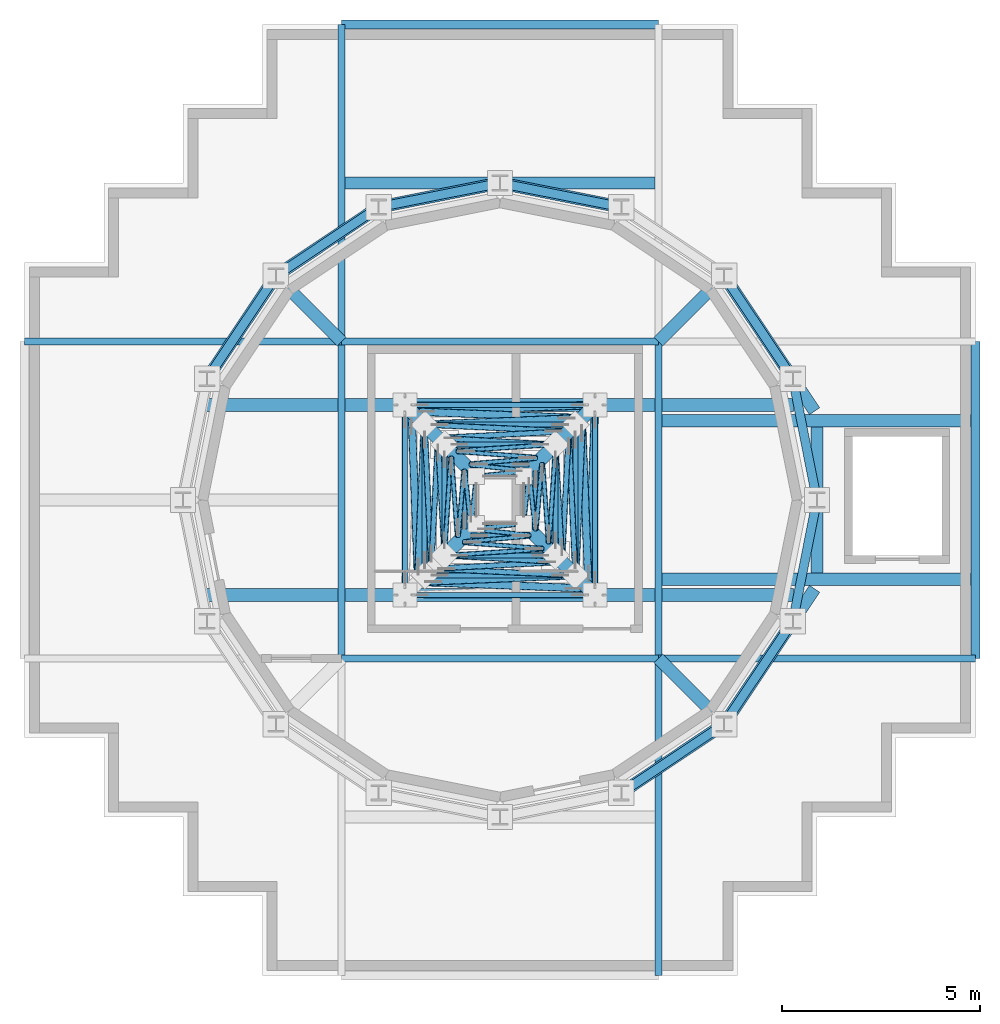
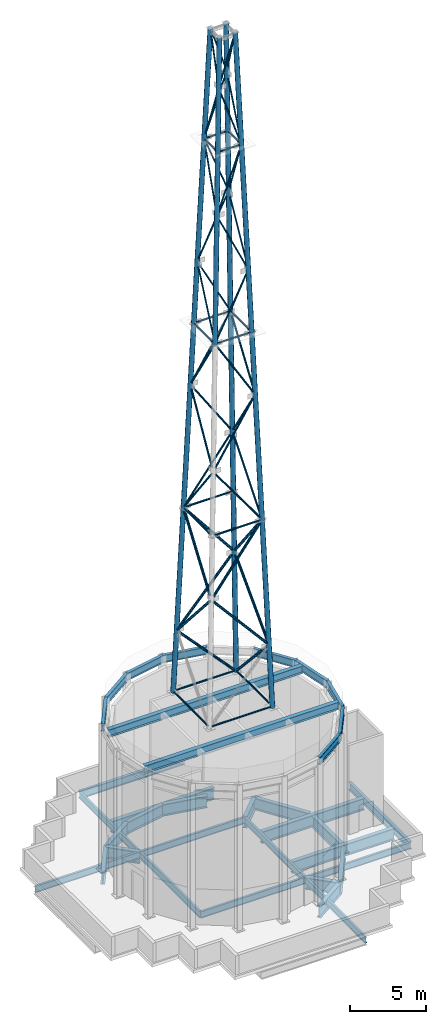
# One storey, part 2 of 15: 68 members, 35 beams.
"""IFC4 building model written with IfcOpenShell, lengths in metres."""

import ifcopenshell
import ifcopenshell.guid

model = None  # the IFC model being written
_history = None  # IfcOwnerHistory: only IFC2X3 demands one
_inside = {}  # id of a spatial element -> (the spatial element, [elements in it])
_under = {}  # id of a project, library or spatial element -> (it, [spatial elements below it])
_declared = {}  # id of a project -> (the project, [libraries it declares])
_typed = {}  # id of a type object -> (the type object, [elements of that type])
_made_of = {}  # id of a material, layer set ... -> (it, [elements and type objects made of it])


def new_model(schema):
    """Start an empty IFC model of exactly this schema.

    Asked for "IFC4X3", IfcOpenShell would pick the latest addendum, in which some entities
    have other attributes; the version numbers below select the first issue.
    IFC2X3 requires an IfcOwnerHistory on every rooted entity: one is made here for all.
    """
    global model, _history
    if schema == "IFC4X3":
        model = ifcopenshell.file(schema_version=(4, 3, 0, 0))
    else:
        model = ifcopenshell.file(schema=schema)
    _inside.clear()
    _under.clear()
    _declared.clear()
    _typed.clear()
    _made_of.clear()
    _history = None
    if model.schema == "IFC2X3":
        org = make("IfcOrganization", Name="unknown")
        user = make(
            "IfcPersonAndOrganization",
            ThePerson=make("IfcPerson", FamilyName="unknown"),
            TheOrganization=org,
        )
        app = make(
            "IfcApplication",
            ApplicationDeveloper=org,
            Version="unknown",
            ApplicationFullName="unknown",
            ApplicationIdentifier="unknown",
        )
        _history = make(
            "IfcOwnerHistory",
            OwningUser=user,
            OwningApplication=app,
            ChangeAction="ADDED",
            CreationDate=0,
        )
    return model


def make(cls, **values):
    """One entity of the class cls with the attributes given. An attribute that is None is left unset."""
    return model.create_entity(
        cls, **{name: value for name, value in values.items() if value is not None}
    )


def rooted(cls, **values):
    """An entity with a GlobalId (a new one), such as an element, a storey or a relation."""
    return make(cls, GlobalId=ifcopenshell.guid.new(), OwnerHistory=_history, **values)


def si_unit(unit_type, name, prefix=None):
    """IfcSIUnit, for example si_unit("LENGTHUNIT", "METRE", prefix="MILLI")."""
    return make("IfcSIUnit", UnitType=unit_type, Prefix=prefix, Name=name)


def assignment(units):
    """IfcUnitAssignment: the units of a project."""
    return None if units is None else make("IfcUnitAssignment", Units=units)


def point(xyz):
    """IfcCartesianPoint."""
    return None if xyz is None else make("IfcCartesianPoint", Coordinates=xyz)


def direction(xyz):
    """IfcDirection."""
    return None if xyz is None else make("IfcDirection", DirectionRatios=xyz)


def frame(location, z_axis=None, x_axis=None):
    """IfcAxis2Placement3D, a coordinate frame: its origin and axes. An axis left out is left unset."""
    return make(
        "IfcAxis2Placement3D",
        Location=point(location),
        Axis=direction(z_axis),
        RefDirection=direction(x_axis),
    )


def frame_2d(location, x_axis=None):
    """IfcAxis2Placement2D, a coordinate frame in the plane: its origin and x axis."""
    return make(
        "IfcAxis2Placement2D", Location=point(location), RefDirection=direction(x_axis)
    )


def origin():
    """The frame at (0, 0, 0) with its axes left unset."""
    return frame((0.0, 0.0, 0.0))


def origin_2d():
    """The frame at (0, 0) in the plane with its x axis left unset."""
    return frame_2d((0.0, 0.0))


def place(relative_to, where):
    """IfcLocalPlacement: puts the frame where relative to a parent placement (None: the world)."""
    return make(
        "IfcLocalPlacement", PlacementRelTo=relative_to, RelativePlacement=where
    )


def context(
    kind, dimensions, precision=None, world=None, true_north=None, identifier=None
):
    """IfcGeometricRepresentationContext, for example the 3D "Model" context."""
    return make(
        "IfcGeometricRepresentationContext",
        ContextIdentifier=identifier,
        ContextType=kind,
        CoordinateSpaceDimension=dimensions,
        Precision=precision,
        WorldCoordinateSystem=world,
        TrueNorth=true_north,
    )


def subcontext(parent, identifier, kind, view, scale=None):
    """IfcGeometricRepresentationSubContext, for example "Body" below "Model"."""
    return make(
        "IfcGeometricRepresentationSubContext",
        ContextIdentifier=identifier,
        ContextType=kind,
        ParentContext=parent,
        TargetScale=scale,
        TargetView=view,
    )


def project(units=None, contexts=None):
    """IfcProject with its units and contexts."""
    return rooted(
        "IfcProject",
        Name="project",
        RepresentationContexts=contexts,
        UnitsInContext=assignment(units),
    )


def spatial(cls, under=None, at=None, **own):
    """A site, building, storey or space (cls), placed at a placement, below another one or the project."""
    s = rooted(cls, ObjectPlacement=at, **own)
    if under is not None:
        _under.setdefault(under.id(), (under, []))[1].append(s)
    return s


def profile(cls, at=None, kind="AREA", **sizes):
    """A parametric profile (cls). Its sizes go by their IFC names, for example OverallWidth=200.0."""
    return make(cls, ProfileType=kind, Position=at, **sizes)


def hollow_circle(**sizes):
    """IfcCircleHollowProfileDef."""
    return profile("IfcCircleHollowProfileDef", **sizes)


def i_section(**sizes):
    """IfcIShapeProfileDef."""
    return profile("IfcIShapeProfileDef", **sizes)


def extrude(swept, where, along, depth):
    """IfcExtrudedAreaSolid: the profile swept, set in the frame where, extruded along a direction by depth."""
    return make(
        "IfcExtrudedAreaSolid",
        SweptArea=swept,
        Position=where,
        ExtrudedDirection=direction(along),
        Depth=depth,
    )


def shape(context_of_items, identifier, shape_type, items):
    """IfcShapeRepresentation: the items that make up one representation, for example the "Body"."""
    return make(
        "IfcShapeRepresentation",
        ContextOfItems=context_of_items,
        RepresentationIdentifier=identifier,
        RepresentationType=shape_type,
        Items=items,
    )


def material(Name=None, Category=None):
    """IfcMaterial."""
    return make("IfcMaterial", Name=Name, Category=Category)


def material_profile(
    of_material, cross_section, Name=None, Category=None, Priority=None
):
    """IfcMaterialProfile: a cross section and its material."""
    return make(
        "IfcMaterialProfile",
        Name=Name,
        Material=of_material,
        Profile=cross_section,
        Priority=Priority,
        Category=Category,
    )


def profile_set(profiles, Name=None, composite=None):
    """IfcMaterialProfileSet."""
    return make(
        "IfcMaterialProfileSet",
        Name=Name,
        MaterialProfiles=profiles,
        CompositeProfile=composite,
    )


def made_of(thing, what):
    """Note that an element or type object is made of a material, layer set ...; save() writes the relation."""
    if what is not None:
        _made_of.setdefault(what.id(), (what, []))[1].append(thing)
    return thing


def type_object(cls, material=None, **own):
    """A type object (cls), such as IfcWallType, which elements share."""
    return made_of(rooted(cls, **own), material)


def element(
    cls,
    number,
    at=None,
    inside=None,
    cuts=None,
    type_object=None,
    material=None,
    context=None,
    identifier="Body",
    shape_type=None,
    held_by="IfcProductDefinitionShape",
    body=None,
    shapes=None,
    **own,
):
    """One element of the class cls, such as IfcWall. Its Tag is "e" and its number.

    at: its placement. inside: the storey or other place that contains it. cuts: it is an
    opening in that element (IfcRelVoidsElement). A single representation is given by context,
    identifier, shape_type and body (its items); several are given by shapes. held_by: the class
    of the entity that holds the representations. save() writes the other relations.
    """
    e = rooted(cls, Tag="e%d" % number, ObjectPlacement=at, **own)
    if body is not None:
        shapes = [shape(context, identifier, shape_type, body)]
    if shapes is not None:
        e.Representation = make(held_by, Representations=shapes)
    if inside is not None:
        _inside.setdefault(inside.id(), (inside, []))[1].append(e)
    if cuts is not None:
        rooted(
            "IfcRelVoidsElement", RelatingBuildingElement=cuts, RelatedOpeningElement=e
        )
    if type_object is not None:
        _typed.setdefault(type_object.id(), (type_object, []))[1].append(e)
    return made_of(e, material)


def aggregate(whole, parts):
    """IfcRelAggregates: a whole, such as a stair, and the parts it consists of."""
    return rooted("IfcRelAggregates", RelatingObject=whole, RelatedObjects=parts)


def save(model, path):
    """Write the relations noted so far, then the file.

    IfcRelAggregates (storeys below a building ...), IfcRelContainedInSpatialStructure (elements
    in a storey), IfcRelDefinesByType, IfcRelAssociatesMaterial and IfcRelDeclares: one each for
    every whole, place, type object, material and project.
    """
    for whole, parts in _under.values():
        aggregate(whole, parts)
    for where, things in _inside.values():
        rooted(
            "IfcRelContainedInSpatialStructure",
            RelatedElements=things,
            RelatingStructure=where,
        )
    for kind, things in _typed.values():
        rooted("IfcRelDefinesByType", RelatedObjects=things, RelatingType=kind)
    for what, things in _made_of.values():
        rooted("IfcRelAssociatesMaterial", RelatedObjects=things, RelatingMaterial=what)
    for by, libraries in _declared.values():
        rooted("IfcRelDeclares", RelatingContext=by, RelatedDefinitions=libraries)
    model.write(path)


model = new_model("IFC4")

# Units and contexts
model_context = context("Model", 3, precision=1e-05, world=origin(), true_north=direction((0.0, 1.0)))
body_context = subcontext(model_context, "Body", "Model", "MODEL_VIEW")
ifc_project = project(units=[si_unit("LENGTHUNIT", "METRE"), si_unit("AREAUNIT", "SQUARE_METRE"), si_unit("VOLUMEUNIT", "CUBIC_METRE"), si_unit("PLANEANGLEUNIT", "RADIAN"), si_unit("MASSUNIT", "GRAM", prefix="KILO")], contexts=[model_context])

# Site, building, storey
site_placement = place(None, origin())
site = spatial("IfcSite", under=ifc_project, at=site_placement, CompositionType="ELEMENT")
building_placement = place(site_placement, origin())
building = spatial("IfcBuilding", under=site, at=building_placement, Name="Immortelle Media Tower", CompositionType="ELEMENT")
storey_placement = place(building_placement, frame((0.0, 0.0, 308.0)))
storey = spatial("IfcBuildingStorey", under=building, at=storey_placement, Name="Roof", CompositionType="ELEMENT", Elevation=308.0)

# Members
ifc_material_1 = material(Name="Steel S355J2H", Category="steel")
ifc_material_profile_1 = material_profile(ifc_material_1, hollow_circle(Radius=0.05712890625, WallThickness=0.0048828125, at=origin_2d()), Name="CHS 114.3 x 5")
ifc_profile_set_1 = profile_set([ifc_material_profile_1], Name="Steel S355J2H")
member_type_1 = type_object("IfcMemberType", Name="MAST brace CHS 114.3 x 5", PredefinedType="BRACE", material=ifc_profile_set_1)
for number, where, z_axis, x_axis, name in (
    (1, (10.772705078125, 10.611083984375, 43.3173828125), (0.465685476023, 0.029468731969, 0.884459513634), (-0.063154012295, 0.998003792944, 0.0), "MAST brace 7A"),
    (2, (13.388916015625, 13.227294921875, 43.3173828125), (-0.029468731969, -0.465685476023, 0.884459513634), (0.998003792944, -0.063154012295, 0.0), "MAST brace 7B"),
    (3, (13.227294921875, 13.388916015625, 43.3173828125), (-0.465685476023, -0.029468731969, 0.884459513634), (0.063154012295, -0.998003792944, 0.0), "MAST brace 7C"),
    (4, (10.611083984375, 10.772705078125, 43.3173828125), (0.029468731969, 0.465685476023, 0.884459513634), (-0.998003792944, 0.063154012295, 0.0), "MAST brace 7D"),
):
    element("IfcMember", number, at=place(storey_placement, frame(where, z_axis=z_axis, x_axis=x_axis)), inside=storey, type_object=member_type_1, Name=name, PredefinedType="BRACE", context=body_context, shape_type="SweptSolid", body=[
        extrude(hollow_circle(Radius=0.05712890625, WallThickness=0.0048828125, at=origin_2d()), origin(), (0.0, 0.0, 1.0), 4.912841796875),
    ])
for number, where, z_axis, x_axis, name in (
    (5, (13.060791015625, 10.779296875, 48.36474609375), (-0.417644782207, 0.030304935489, 0.90810486552), (-0.072371235286, -0.997377764091, 0.0), "MAST brace 8A"),
    (6, (13.220703125, 10.939208984375, 48.36474609375), (-0.030304935489, 0.417644782207, 0.90810486552), (-0.997377764091, -0.072371235286, 0.0), "MAST brace 8B"),
    (7, (10.939208984375, 13.220703125, 48.36474609375), (0.417644782207, -0.030304935489, 0.90810486552), (0.072371235286, 0.997377764091, 0.0), "MAST brace 8C"),
    (8, (10.779296875, 13.060791015625, 48.36474609375), (0.030304935489, -0.417644782207, 0.90810486552), (0.997377764091, 0.072371235286, 0.0), "MAST brace 8D"),
):
    element("IfcMember", number, at=place(storey_placement, frame(where, z_axis=z_axis, x_axis=x_axis)), inside=storey, type_object=member_type_1, Name=name, PredefinedType="BRACE", context=body_context, shape_type="SweptSolid", body=[
        extrude(hollow_circle(Radius=0.05712890625, WallThickness=0.0048828125, at=origin_2d()), origin(), (0.0, 0.0, 1.0), 4.6806640625),
    ])
for number, where, z_axis, x_axis, name in (
    (9, (11.105712890625, 10.9482421875, 53.427978515625), (0.36578496146, 0.031000592097, 0.930182952574), (-0.084448125061, 0.996427877056, 0.0), "MAST brace 9A"),
    (10, (13.0517578125, 12.894287109375, 53.427978515625), (-0.031000592097, -0.36578496146, 0.930182952574), (0.996427877056, -0.084448125061, 0.0), "MAST brace 9B"),
    (11, (12.894287109375, 13.0517578125, 53.427978515625), (-0.36578496146, -0.031000592097, 0.930182952574), (0.084448125061, -0.996427877056, 0.0), "MAST brace 9C"),
    (12, (10.9482421875, 11.105712890625, 53.427978515625), (0.031000592097, 0.36578496146, 0.930182952574), (-0.996427877056, 0.084448125061, 0.0), "MAST brace 9D"),
):
    element("IfcMember", number, at=place(storey_placement, frame(where, z_axis=z_axis, x_axis=x_axis)), inside=storey, type_object=member_type_1, Name=name, PredefinedType="BRACE", context=body_context, shape_type="SweptSolid", body=[
        extrude(hollow_circle(Radius=0.05712890625, WallThickness=0.0048828125, at=origin_2d()), origin(), (0.0, 0.0, 1.0), 4.433837890625),
    ])
for number, where, z_axis, x_axis, name in (
    (13, (12.727783203125, 11.117919921875, 58.516357421875), (-0.310227604063, 0.03167506698, 0.950134476698), (-0.101574588423, -0.99482792632, 0.0), "MAST brace 10A"),
    (14, (12.882080078125, 11.272216796875, 58.516357421875), (-0.03167506698, 0.310227604063, 0.950134476698), (-0.99482792632, -0.101574588423, 0.0), "MAST brace 10B"),
    (15, (11.272216796875, 12.882080078125, 58.516357421875), (0.310227604063, -0.03167506698, 0.950134476698), (0.101574588423, 0.99482792632, 0.0), "MAST brace 10C"),
    (16, (11.117919921875, 12.727783203125, 58.516357421875), (0.03167506698, -0.310227604063, 0.950134476698), (0.99482792632, 0.101574588423, 0.0), "MAST brace 10D"),
):
    element("IfcMember", number, at=place(storey_placement, frame(where, z_axis=z_axis, x_axis=x_axis)), inside=storey, type_object=member_type_1, Name=name, PredefinedType="BRACE", context=body_context, shape_type="SweptSolid", body=[
        extrude(hollow_circle(Radius=0.05712890625, WallThickness=0.0048828125, at=origin_2d()), origin(), (0.0, 0.0, 1.0), 4.154541015625),
    ])
for number, where, z_axis, x_axis, name in (
    (17, (11.43896484375, 11.2841796875, 63.504638671875), (0.316679706241, 0.031581980084, 0.948006615055), (-0.099236193093, 0.995063906481, 0.0), "MAST brace 11A"),
    (18, (12.7158203125, 12.56103515625, 63.504638671875), (-0.031581980084, -0.316679706241, 0.948006615055), (0.995063906481, -0.099236193093, 0.0), "MAST brace 11B"),
    (19, (12.56103515625, 12.7158203125, 63.504638671875), (-0.316679706241, -0.031581980084, 0.948006615055), (0.099236193093, -0.995063906481, 0.0), "MAST brace 11C"),
    (20, (11.2841796875, 11.43896484375, 63.504638671875), (0.031581980084, 0.316679706241, 0.948006615055), (-0.995063906481, 0.099236193093, 0.0), "MAST brace 11D"),
):
    element("IfcMember", number, at=place(storey_placement, frame(where, z_axis=z_axis, x_axis=x_axis)), inside=storey, type_object=member_type_1, Name=name, PredefinedType="BRACE", context=body_context, shape_type="SweptSolid", body=[
        extrude(hollow_circle(Radius=0.05712890625, WallThickness=0.0048828125, at=origin_2d()), origin(), (0.0, 0.0, 1.0), 3.123046875),
    ])
ifc_material_profile_2 = material_profile(ifc_material_1, hollow_circle(Radius=0.06982421875, WallThickness=0.00634765625, at=origin_2d()), Name="CHS 139.7 x 6.3")
ifc_profile_set_2 = profile_set([ifc_material_profile_2], Name="Steel S355J2H")
member_type_2 = type_object("IfcMemberType", Name="MAST brace CHS 139.7 x 6.3", PredefinedType="BRACE", material=ifc_profile_set_2)
for number, where, z_axis, x_axis, name in (
    (21, (13.727294921875, 10.10791015625, 28.2275390625), (-0.587607521613, 0.026965281678, 0.808696651488), (-0.045841709855, -0.99894871622, 0.0), "MAST brace 4A"),
    (22, (13.89208984375, 10.272705078125, 28.2275390625), (-0.026965281678, 0.587607521613, 0.808696651488), (-0.99894871622, -0.045841709855, 0.0), "MAST brace 4B"),
    (23, (10.272705078125, 13.89208984375, 28.2275390625), (0.587607521613, -0.026965281678, 0.808696651488), (0.045841709855, 0.99894871622, 0.0), "MAST brace 4C"),
    (24, (10.10791015625, 13.727294921875, 28.2275390625), (0.026965281678, -0.587607521613, 0.808696651488), (0.99894871622, 0.045841709855, 0.0), "MAST brace 4D"),
):
    element("IfcMember", number, at=place(storey_placement, frame(where, z_axis=z_axis, x_axis=x_axis)), inside=storey, type_object=member_type_2, Name=name, PredefinedType="BRACE", context=body_context, shape_type="SweptSolid", body=[
        extrude(hollow_circle(Radius=0.06982421875, WallThickness=0.00634765625, at=origin_2d()), origin(), (0.0, 0.0, 1.0), 5.59521484375),
    ])
for number, where, z_axis, x_axis, name in (
    (25, (10.439453125, 10.275390625, 33.25146484375), (0.55059441446, 0.027843644162, 0.83430840955), (-0.050505614903, 0.998723777059, 0.0), "MAST brace 5A"),
    (26, (13.724609375, 13.560546875, 33.25146484375), (-0.027843644162, -0.55059441446, 0.83430840955), (0.998723777059, -0.050505614903, 0.0), "MAST brace 5B"),
    (27, (13.560546875, 13.724609375, 33.25146484375), (-0.55059441446, -0.027843644162, 0.83430840955), (0.050505614903, -0.998723777059, 0.0), "MAST brace 5C"),
    (28, (10.275390625, 10.439453125, 33.25146484375), (0.027843644162, 0.55059441446, 0.83430840955), (-0.998723777059, 0.050505614903, 0.0), "MAST brace 5D"),
):
    element("IfcMember", number, at=place(storey_placement, frame(where, z_axis=z_axis, x_axis=x_axis)), inside=storey, type_object=member_type_2, Name=name, PredefinedType="BRACE", context=body_context, shape_type="SweptSolid", body=[
        extrude(hollow_circle(Radius=0.06982421875, WallThickness=0.00634765625, at=origin_2d()), origin(), (0.0, 0.0, 1.0), 5.3662109375),
    ])
for number, where, z_axis, x_axis, name in (
    (29, (13.39404296875, 10.443115234375, 38.28076171875), (-0.510023442261, 0.028690896817, 0.859681871848), (-0.056165276794, -0.998421484987, 0.0), "MAST brace 6A"),
    (30, (13.556884765625, 10.60595703125, 38.28076171875), (-0.028690896817, 0.510023442261, 0.859681871848), (-0.998421484987, -0.056165276794, 0.0), "MAST brace 6B"),
    (31, (10.60595703125, 13.556884765625, 38.28076171875), (0.510023442261, -0.028690896817, 0.859681871848), (0.056165276794, 0.998421484987, 0.0), "MAST brace 6C"),
    (32, (10.443115234375, 13.39404296875, 38.28076171875), (0.028690896817, -0.510023442261, 0.859681871848), (0.998421484987, 0.056165276794, 0.0), "MAST brace 6D"),
):
    element("IfcMember", number, at=place(storey_placement, frame(where, z_axis=z_axis, x_axis=x_axis)), inside=storey, type_object=member_type_2, Name=name, PredefinedType="BRACE", context=body_context, shape_type="SweptSolid", body=[
        extrude(hollow_circle(Radius=0.06982421875, WallThickness=0.00634765625, at=origin_2d()), origin(), (0.0, 0.0, 1.0), 5.1396484375),
    ])
ifc_material_profile_3 = material_profile(ifc_material_1, hollow_circle(Radius=0.096923828125, WallThickness=0.008056640625, at=origin_2d()), Name="CHS 193.7 x 8")
ifc_profile_set_3 = profile_set([ifc_material_profile_3], Name="Steel S355J2H")
member_type_3 = type_object("IfcMemberType", Name="MAST brace CHS 193.7 x 8", PredefinedType="BRACE", material=ifc_profile_set_3)
for number, where, z_axis, x_axis, name in (
    (33, (14.393798828125, 14.227294921875, 13.17626953125), (-0.024450755155, -0.679475653156, 0.73329052724), (0.999353177331, -0.035961464902, 0.0), "MAST brace 1B"),
    (34, (14.227294921875, 14.393798828125, 13.17626953125), (-0.679475653156, -0.024450755155, 0.73329052724), (0.035961464902, -0.999353177331, 0.0), "MAST brace 1C"),
):
    element("IfcMember", number, at=place(storey_placement, frame(where, z_axis=z_axis, x_axis=x_axis)), inside=storey, type_object=member_type_3, Name=name, PredefinedType="BRACE", context=body_context, shape_type="SweptSolid", body=[
        extrude(hollow_circle(Radius=0.096923828125, WallThickness=0.008056640625, at=origin_2d()), origin(), (0.0, 0.0, 1.0), 6.310546875),
    ])
for number, where, z_axis, x_axis, name in (
    (35, (14.060546875, 9.7734375, 18.190673828125), (-0.651808828766, 0.025270770741, 0.757962161911), (-0.038741113017, -0.999249281292, 0.0), "MAST brace 2A"),
    (36, (14.2265625, 9.939453125, 18.190673828125), (-0.025270770741, 0.651808828766, 0.757962161911), (-0.999249281292, -0.038741113017, 0.0), "MAST brace 2B"),
    (37, (9.939453125, 14.2265625, 18.190673828125), (0.651808828766, -0.025270770741, 0.757962161911), (0.038741113017, 0.999249281292, 0.0), "MAST brace 2C"),
    (38, (9.7734375, 14.060546875, 18.190673828125), (0.025270770741, -0.651808828766, 0.757962161911), (0.999249281292, 0.038741113017, 0.0), "MAST brace 2D"),
):
    element("IfcMember", number, at=place(storey_placement, frame(where, z_axis=z_axis, x_axis=x_axis)), inside=storey, type_object=member_type_3, Name=name, PredefinedType="BRACE", context=body_context, shape_type="SweptSolid", body=[
        extrude(hollow_circle(Radius=0.096923828125, WallThickness=0.008056640625, at=origin_2d()), origin(), (0.0, 0.0, 1.0), 6.067138671875),
    ])
for number, where, z_axis, x_axis, name in (
    (39, (10.10595703125, 9.940673828125, 23.20751953125), (0.621274436763, 0.026094112729, 0.783158458747), (-0.041963946287, 0.999119125636, 0.0), "MAST brace 3A"),
    (40, (14.059326171875, 13.89404296875, 23.20751953125), (-0.026094112729, -0.621274436763, 0.783158458747), (0.999119125636, -0.041963946287, 0.0), "MAST brace 3B"),
    (41, (13.89404296875, 14.059326171875, 23.20751953125), (-0.621274436763, -0.026094112729, 0.783158458747), (0.041963946287, -0.999119125636, 0.0), "MAST brace 3C"),
    (42, (9.940673828125, 10.10595703125, 23.20751953125), (0.026094112729, 0.621274436763, 0.783158458747), (-0.999119125636, 0.041963946287, 0.0), "MAST brace 3D"),
):
    element("IfcMember", number, at=place(storey_placement, frame(where, z_axis=z_axis, x_axis=x_axis)), inside=storey, type_object=member_type_3, Name=name, PredefinedType="BRACE", context=body_context, shape_type="SweptSolid", body=[
        extrude(hollow_circle(Radius=0.096923828125, WallThickness=0.008056640625, at=origin_2d()), origin(), (0.0, 0.0, 1.0), 5.828857421875),
    ])
ifc_material_profile_4 = material_profile(ifc_material_1, hollow_circle(Radius=0.177734375, WallThickness=0.010009765625, at=origin_2d()), Name="CHS 355.6 x 10")
ifc_profile_set_4 = profile_set([ifc_material_profile_4], Name="Steel S355J2H")
member_type_4 = type_object("IfcMemberType", Name="MAST leg CHS 355.6 x 10", PredefinedType="POST", material=ifc_profile_set_4)
for number, where, z_axis, x_axis, name in (
    (43, (10.60009765625, 10.60009765625, 42.989990234375), (0.033302105574, 0.033302105574, 0.998890354107), (-0.707106781187, 0.707106781187, 0.0), "MAST leg A 30-53.99"),
    (44, (13.39990234375, 10.60009765625, 42.989990234375), (-0.033302105574, 0.033302105574, 0.998890354107), (-0.707106781187, -0.707106781187, 0.0), "MAST leg B 30-53.99"),
    (45, (13.39990234375, 13.39990234375, 42.989990234375), (-0.033302105574, -0.033302105574, 0.998890354107), (0.707106781187, -0.707106781187, 0.0), "MAST leg C 30-53.99"),
    (46, (10.60009765625, 13.39990234375, 42.989990234375), (0.033302105574, -0.033302105574, 0.998890354107), (0.707106781187, 0.707106781187, 0.0), "MAST leg D 30-53.99"),
):
    element("IfcMember", number, at=place(storey_placement, frame(where, z_axis=z_axis, x_axis=x_axis)), inside=storey, type_object=member_type_4, Name=name, PredefinedType="POST", context=body_context, shape_type="SweptSolid", body=[
        extrude(hollow_circle(Radius=0.177734375, WallThickness=0.010009765625, at=origin_2d()), origin(), (0.0, 0.0, 1.0), 24.0166015625),
    ])
ifc_material_profile_5 = material_profile(ifc_material_1, hollow_circle(Radius=0.177734375, WallThickness=0.012451171875, at=origin_2d()), Name="CHS 355.6 x 12.5")
ifc_profile_set_5 = profile_set([ifc_material_profile_5], Name="Steel S355J2H")
member_type_5 = type_object("IfcMemberType", Name="MAST leg CHS 355.6 x 12.5", PredefinedType="POST", material=ifc_profile_set_5)
for number, where, z_axis, x_axis, name in (
    (47, (13.89990234375, 10.10009765625, 27.989990234375), (-0.033296357911, 0.033296357911, 0.998890737318), (-0.707106781187, -0.707106781187, 0.0), "MAST leg B 15-30"),
    (48, (13.89990234375, 13.89990234375, 27.989990234375), (-0.033296357911, -0.033296357911, 0.998890737318), (0.707106781187, -0.707106781187, 0.0), "MAST leg C 15-30"),
    (49, (10.10009765625, 13.89990234375, 27.989990234375), (0.033296357911, -0.033296357911, 0.998890737318), (0.707106781187, 0.707106781187, 0.0), "MAST leg D 15-30"),
):
    element("IfcMember", number, at=place(storey_placement, frame(where, z_axis=z_axis, x_axis=x_axis)), inside=storey, type_object=member_type_5, Name=name, PredefinedType="POST", context=body_context, shape_type="SweptSolid", body=[
        extrude(hollow_circle(Radius=0.177734375, WallThickness=0.012451171875, at=origin_2d()), origin(), (0.0, 0.0, 1.0), 15.0166015625),
    ])
ifc_material_profile_6 = material_profile(ifc_material_1, hollow_circle(Radius=0.177734375, WallThickness=0.01611328125, at=origin_2d()), Name="CHS 355.6 x 16")
ifc_profile_set_6 = profile_set([ifc_material_profile_6], Name="Steel S355J2H")
member_type_6 = type_object("IfcMemberType", Name="MAST leg CHS 355.6 x 16", PredefinedType="POST", material=ifc_profile_set_6)
for number, where, z_axis, x_axis, name in (
    (50, (14.39990234375, 9.60009765625, 12.989990234375), (-0.033296357911, 0.033296357911, 0.998890737318), (-0.707106781187, -0.707106781187, 0.0), "MAST leg B 0-15"),
    (51, (14.39990234375, 14.39990234375, 12.989990234375), (-0.033296357911, -0.033296357911, 0.998890737318), (0.707106781187, -0.707106781187, 0.0), "MAST leg C 0-15"),
    (52, (9.60009765625, 14.39990234375, 12.989990234375), (0.033296357911, -0.033296357911, 0.998890737318), (0.707106781187, 0.707106781187, 0.0), "MAST leg D 0-15"),
):
    element("IfcMember", number, at=place(storey_placement, frame(where, z_axis=z_axis, x_axis=x_axis)), inside=storey, type_object=member_type_6, Name=name, PredefinedType="POST", context=body_context, shape_type="SweptSolid", body=[
        extrude(hollow_circle(Radius=0.177734375, WallThickness=0.01611328125, at=origin_2d()), origin(), (0.0, 0.0, 1.0), 15.0166015625),
    ])
ifc_material_profile_7 = material_profile(ifc_material_1, hollow_circle(Radius=0.06982421875, WallThickness=0.00634765625, at=origin_2d()), Name="CHS 139.7 x 6.3")
ifc_profile_set_7 = profile_set([ifc_material_profile_7], Name="Steel S355J2H")
member_type_7 = type_object("IfcMemberType", Name="MAST ring CHS 139.7 x 6.3", PredefinedType="COLLAR", material=ifc_profile_set_7)
for number, where, z_axis, x_axis, name in (
    (53, (9.772705078125, 9.60009765625, 13.059814453125), (1.0, 0.0, 0.0), (0.0, 1.0, 0.0), "MAST ring 1A"),
    (54, (14.39990234375, 9.772705078125, 13.059814453125), (0.0, 1.0, 0.0), (-1.0, 0.0, 0.0), "MAST ring 1B"),
    (55, (14.227294921875, 14.39990234375, 13.059814453125), (-1.0, 0.0, 0.0), (0.0, -1.0, 0.0), "MAST ring 1C"),
    (56, (9.60009765625, 14.227294921875, 13.059814453125), (0.0, -1.0, 0.0), (1.0, 0.0, 0.0), "MAST ring 1D"),
):
    element("IfcMember", number, at=place(storey_placement, frame(where, z_axis=z_axis, x_axis=x_axis)), inside=storey, type_object=member_type_7, Name=name, PredefinedType="COLLAR", context=body_context, shape_type="SweptSolid", body=[
        extrude(hollow_circle(Radius=0.06982421875, WallThickness=0.00634765625, at=origin_2d()), origin(), (0.0, 0.0, 1.0), 4.45458984375),
    ])
for number, where, z_axis, x_axis, name in (
    (57, (10.27294921875, 10.10009765625, 27.989990234375), (1.0, 0.0, 0.0), (0.0, 1.0, 0.0), "MAST ring 4A"),
    (58, (13.89990234375, 10.27294921875, 27.989990234375), (0.0, 1.0, 0.0), (-1.0, 0.0, 0.0), "MAST ring 4B"),
    (59, (13.72705078125, 13.89990234375, 27.989990234375), (-1.0, 0.0, 0.0), (0.0, -1.0, 0.0), "MAST ring 4C"),
    (60, (10.10009765625, 13.72705078125, 27.989990234375), (0.0, -1.0, 0.0), (1.0, 0.0, 0.0), "MAST ring 4D"),
):
    element("IfcMember", number, at=place(storey_placement, frame(where, z_axis=z_axis, x_axis=x_axis)), inside=storey, type_object=member_type_7, Name=name, PredefinedType="COLLAR", context=body_context, shape_type="SweptSolid", body=[
        extrude(hollow_circle(Radius=0.06982421875, WallThickness=0.00634765625, at=origin_2d()), origin(), (0.0, 0.0, 1.0), 3.4541015625),
    ])
for number, where, z_axis, x_axis, name in (
    (61, (10.77294921875, 10.60009765625, 42.989990234375), (1.0, 0.0, 0.0), (0.0, 1.0, 0.0), "MAST ring 7A"),
    (62, (13.39990234375, 10.77294921875, 42.989990234375), (0.0, 1.0, 0.0), (-1.0, 0.0, 0.0), "MAST ring 7B"),
    (63, (13.22705078125, 13.39990234375, 42.989990234375), (-1.0, 0.0, 0.0), (0.0, -1.0, 0.0), "MAST ring 7C"),
    (64, (10.60009765625, 13.22705078125, 42.989990234375), (0.0, -1.0, 0.0), (1.0, 0.0, 0.0), "MAST ring 7D"),
):
    element("IfcMember", number, at=place(storey_placement, frame(where, z_axis=z_axis, x_axis=x_axis)), inside=storey, type_object=member_type_7, Name=name, PredefinedType="COLLAR", context=body_context, shape_type="SweptSolid", body=[
        extrude(hollow_circle(Radius=0.06982421875, WallThickness=0.00634765625, at=origin_2d()), origin(), (0.0, 0.0, 1.0), 2.4541015625),
    ])
for number, where, z_axis, x_axis, name in (
    (65, (11.273193359375, 11.100341796875, 57.989990234375), (1.0, 0.0, 0.0), (0.0, 1.0, 0.0), "MAST ring 10A"),
    (66, (12.899658203125, 11.273193359375, 57.989990234375), (0.0, 1.0, 0.0), (-1.0, 0.0, 0.0), "MAST ring 10B"),
    (67, (12.726806640625, 12.899658203125, 57.989990234375), (-1.0, 0.0, 0.0), (0.0, -1.0, 0.0), "MAST ring 10C"),
    (68, (11.100341796875, 12.726806640625, 57.989990234375), (0.0, -1.0, 0.0), (1.0, 0.0, 0.0), "MAST ring 10D"),
):
    element("IfcMember", number, at=place(storey_placement, frame(where, z_axis=z_axis, x_axis=x_axis)), inside=storey, type_object=member_type_7, Name=name, PredefinedType="COLLAR", context=body_context, shape_type="SweptSolid", body=[
        extrude(hollow_circle(Radius=0.06982421875, WallThickness=0.00634765625, at=origin_2d()), origin(), (0.0, 0.0, 1.0), 1.45361328125),
    ])

# Beams
ifc_material_2 = material(Name="Steel ASTM A992 Gr 50", Category="steel")
ifc_material_profile_8 = material_profile(ifc_material_2, i_section(OverallWidth=0.1669921875, OverallDepth=0.535888671875, WebThickness=0.010009765625, FlangeThickness=0.01708984375, at=origin_2d()), Name="W21x57")
ifc_profile_set_8 = profile_set([ifc_material_profile_8], Name="Steel ASTM A992 Gr 50")
beam_type_1 = type_object("IfcBeamType", Name="W21x57 girder", PredefinedType="BEAM", material=ifc_profile_set_8)
for number, where, z_axis, x_axis, name in (
    (69, (0.0, 16.0, -0.51806640625), (1.0, 0.0, 0.0), (0.0, 1.0, 0.0), "Girder C/1-2"),
    (70, (8.0, 8.0, -0.51806640625), (1.0, 0.0, 0.0), (0.0, 1.0, 0.0), "Girder B/2-3"),
    (71, (8.0, 8.0, -0.51806640625), (0.0, 1.0, 0.0), (-1.0, 0.0, 0.0), "Girder 2/B-C"),
    (72, (8.0, 16.0, -0.51806640625), (1.0, 0.0, 0.0), (0.0, 1.0, 0.0), "Girder C/2-3"),
    (73, (8.0, 16.0, -0.51806640625), (0.0, 1.0, 0.0), (-1.0, 0.0, 0.0), "Girder 2/C-D"),
    (74, (16.0, 0.0, -0.51806640625), (0.0, 1.0, 0.0), (-1.0, 0.0, 0.0), "Girder 3/A-B"),
    (75, (16.0, 8.0, -0.51806640625), (1.0, 0.0, 0.0), (0.0, 1.0, 0.0), "Girder B/3-4"),
    (76, (16.0, 8.0, -0.51806640625), (0.0, 1.0, 0.0), (-1.0, 0.0, 0.0), "Girder 3/B-C"),
):
    element("IfcBeam", number, at=place(storey_placement, frame(where, z_axis=z_axis, x_axis=x_axis)), inside=storey, type_object=beam_type_1, Name=name, PredefinedType="BEAM", context=body_context, shape_type="SweptSolid", body=[
        extrude(i_section(OverallWidth=0.1669921875, OverallDepth=0.535888671875, WebThickness=0.010009765625, FlangeThickness=0.01708984375, at=origin_2d()), origin(), (0.0, 0.0, 1.0), 8.0),
    ])
ifc_material_profile_9 = material_profile(ifc_material_2, i_section(OverallWidth=0.323974609375, OverallDepth=0.612060546875, WebThickness=0.012939453125, FlangeThickness=0.01904296875, at=origin_2d()), Name="W24x104")
ifc_profile_set_9 = profile_set([ifc_material_profile_9], Name="Steel ASTM A992 Gr 50")
beam_type_2 = type_object("IfcBeamType", Name="W24x104 mast base girder", PredefinedType="BEAM", material=ifc_profile_set_9)
for number, where, z_axis, x_axis, name in (
    (77, (4.59423828125, 9.60009765625, 11.444091796875), (1.0, 0.0, 0.0), (0.0, 1.0, 0.0), "Mast base girder 1"),
    (78, (4.59423828125, 14.39990234375, 11.444091796875), (1.0, 0.0, 0.0), (0.0, 1.0, 0.0), "Mast base girder 2"),
):
    element("IfcBeam", number, at=place(storey_placement, frame(where, z_axis=z_axis, x_axis=x_axis)), inside=storey, type_object=beam_type_2, Name=name, PredefinedType="BEAM", context=body_context, shape_type="SweptSolid", body=[
        extrude(i_section(OverallWidth=0.323974609375, OverallDepth=0.612060546875, WebThickness=0.012939453125, FlangeThickness=0.01904296875, at=origin_2d()), origin(), (0.0, 0.0, 1.0), 14.8115234375),
    ])
ifc_material_profile_10 = material_profile(ifc_material_2, i_section(OverallWidth=0.22900390625, OverallDepth=0.612060546875, WebThickness=0.011962890625, FlangeThickness=0.02001953125, at=origin_2d()), Name="W24x84")
ifc_profile_set_10 = profile_set([ifc_material_profile_10], Name="Steel ASTM A992 Gr 50")
beam_type_3 = type_object("IfcBeamType", Name="W24x84 drum crown ring beam", PredefinedType="SPANDREL", material=ifc_profile_set_10)
for number, where, z_axis, x_axis, name in (
    (79, (20.0, 12.0, 11.444091796875), (-0.195063155143, 0.980790683839, 0.0), (-0.980790683839, -0.195063155143, 0.0), "Drum ring beam 1"),
    (80, (19.39111328125, 15.0615234375, 11.444091796875), (-0.555548220115, 0.831484320434, 0.0), (-0.831484320434, -0.555548220115, 0.0), "Drum ring beam 2"),
    (81, (15.0615234375, 19.39111328125, 11.444091796875), (-0.980790683839, 0.195063155143, 0.0), (-0.195063155143, -0.980790683839, 0.0), "Drum ring beam 4"),
    (82, (12.0, 20.0, 11.444091796875), (-0.980790683839, -0.195063155143, 0.0), (0.195063155143, -0.980790683839, 0.0), "Drum ring beam 5"),
    (83, (8.9384765625, 19.39111328125, 11.444091796875), (-0.831484320434, -0.555548220115, 0.0), (0.555548220115, -0.831484320434, 0.0), "Drum ring beam 6"),
    (84, (6.343017578125, 17.656982421875, 11.444091796875), (-0.555548220115, -0.831484320434, 0.0), (0.831484320434, -0.555548220115, 0.0), "Drum ring beam 7"),
    (85, (15.0615234375, 4.60888671875, 11.444091796875), (0.831484320434, 0.555548220115, 0.0), (-0.555548220115, 0.831484320434, 0.0), "Drum ring beam 14"),
    (86, (17.656982421875, 6.343017578125, 11.444091796875), (0.555548220115, 0.831484320434, 0.0), (-0.831484320434, 0.555548220115, 0.0), "Drum ring beam 15"),
    (87, (19.39111328125, 8.9384765625, 11.444091796875), (0.195063155143, 0.980790683839, 0.0), (-0.980790683839, 0.195063155143, 0.0), "Drum ring beam 16"),
):
    element("IfcBeam", number, at=place(storey_placement, frame(where, z_axis=z_axis, x_axis=x_axis)), inside=storey, type_object=beam_type_3, Name=name, PredefinedType="SPANDREL", context=body_context, shape_type="SweptSolid", body=[
        extrude(i_section(OverallWidth=0.22900390625, OverallDepth=0.612060546875, WebThickness=0.011962890625, FlangeThickness=0.02001953125, at=origin_2d()), origin(), (0.0, 0.0, 1.0), 3.12158203125),
    ])
ifc_material_profile_11 = material_profile(ifc_material_2, i_section(OverallWidth=0.22900390625, OverallDepth=0.612060546875, WebThickness=0.011962890625, FlangeThickness=0.02001953125, at=origin_2d()), Name="W24x84")
ifc_profile_set_11 = profile_set([ifc_material_profile_11], Name="Steel ASTM A992 Gr 50")
beam_type_4 = type_object("IfcBeamType", Name="W24x84 perimeter girder", PredefinedType="SPANDREL", material=ifc_profile_set_11)
for number, where, z_axis, x_axis, name in (
    (88, (8.0, 24.0, -0.555908203125), (1.0, 0.0, 0.0), (0.0, 1.0, 0.0), "Girder D/2-3"),
    (89, (24.0, 8.0, -0.555908203125), (0.0, 1.0, 0.0), (-1.0, 0.0, 0.0), "Girder 4/B-C"),
):
    element("IfcBeam", number, at=place(storey_placement, frame(where, z_axis=z_axis, x_axis=x_axis)), inside=storey, type_object=beam_type_4, Name=name, PredefinedType="SPANDREL", context=body_context, shape_type="SweptSolid", body=[
        extrude(i_section(OverallWidth=0.22900390625, OverallDepth=0.612060546875, WebThickness=0.011962890625, FlangeThickness=0.02001953125, at=origin_2d()), origin(), (0.0, 0.0, 1.0), 8.0),
    ])
ifc_material_profile_12 = material_profile(ifc_material_2, i_section(OverallWidth=0.31005859375, OverallDepth=0.949951171875, WebThickness=0.02392578125, FlangeThickness=0.0439453125, at=origin_2d()), Name="W36x256")
ifc_profile_set_12 = profile_set([ifc_material_profile_12], Name="Steel ASTM A992 Gr 50")
beam_type_5 = type_object("IfcBeamType", Name="W36x256 drum base ring beam", PredefinedType="SPANDREL", material=ifc_profile_set_12)
beam_1_placement = place(storey_placement, frame((17.656982421875, 17.656982421875, -0.72509765625), z_axis=(0.555550210538, -0.831482990548, 0.0), x_axis=(0.831482990548, 0.555550210538, 0.0)))
element("IfcBeam", 90, at=beam_1_placement, inside=storey, type_object=beam_type_5, Name="Drum base ring beam 2", PredefinedType="SPANDREL", context=body_context, shape_type="SweptSolid", body=[
    extrude(i_section(OverallWidth=0.31005859375, OverallDepth=0.949951171875, WebThickness=0.02392578125, FlangeThickness=0.0439453125, at=origin_2d()), origin(), (0.0, 0.0, 1.0), 4.108154296875),
])
for number, where, z_axis, x_axis, name in (
    (91, (15.0615234375, 19.39111328125, -0.72509765625), (-0.980790683839, 0.195063155143, 0.0), (-0.195063155143, -0.980790683839, 0.0), "Drum base ring beam 4"),
    (92, (12.0, 20.0, -0.72509765625), (-0.980790683839, -0.195063155143, 0.0), (0.195063155143, -0.980790683839, 0.0), "Drum base ring beam 5"),
    (93, (8.9384765625, 19.39111328125, -0.72509765625), (-0.831484320434, -0.555548220115, 0.0), (0.555548220115, -0.831484320434, 0.0), "Drum base ring beam 6"),
    (94, (6.343017578125, 17.656982421875, -0.72509765625), (-0.555548220115, -0.831484320434, 0.0), (0.831484320434, -0.555548220115, 0.0), "Drum base ring beam 7"),
    (95, (15.0615234375, 4.60888671875, -0.72509765625), (0.831484320434, 0.555548220115, 0.0), (-0.555548220115, 0.831484320434, 0.0), "Drum base ring beam 14"),
):
    element("IfcBeam", number, at=place(storey_placement, frame(where, z_axis=z_axis, x_axis=x_axis)), inside=storey, type_object=beam_type_5, Name=name, PredefinedType="SPANDREL", context=body_context, shape_type="SweptSolid", body=[
        extrude(i_section(OverallWidth=0.31005859375, OverallDepth=0.949951171875, WebThickness=0.02392578125, FlangeThickness=0.0439453125, at=origin_2d()), origin(), (0.0, 0.0, 1.0), 3.12158203125),
    ])
beam_2_placement = place(storey_placement, frame((17.656982421875, 6.343017578125, -0.72509765625), z_axis=(0.555550210538, 0.831482990548, 0.0), x_axis=(-0.831482990548, 0.555550210538, 0.0)))
element("IfcBeam", 96, at=beam_2_placement, inside=storey, type_object=beam_type_5, Name="Drum base ring beam 15", PredefinedType="SPANDREL", context=body_context, shape_type="SweptSolid", body=[
    extrude(i_section(OverallWidth=0.31005859375, OverallDepth=0.949951171875, WebThickness=0.02392578125, FlangeThickness=0.0439453125, at=origin_2d()), origin(), (0.0, 0.0, 1.0), 4.108154296875),
])
beam_3_placement = place(storey_placement, frame((20.0, 10.155029296875, -0.72509765625), z_axis=(0.0, 1.0, 0.0), x_axis=(-1.0, 0.0, 0.0)))
element("IfcBeam", 97, at=beam_3_placement, inside=storey, type_object=beam_type_5, Name="Drum base ring beam 17", PredefinedType="SPANDREL", context=body_context, shape_type="SweptSolid", body=[
    extrude(i_section(OverallWidth=0.31005859375, OverallDepth=0.949951171875, WebThickness=0.02392578125, FlangeThickness=0.0439453125, at=origin_2d()), origin(), (0.0, 0.0, 1.0), 3.68994140625),
])
ifc_material_profile_13 = material_profile(ifc_material_2, i_section(OverallWidth=0.31005859375, OverallDepth=0.949951171875, WebThickness=0.02392578125, FlangeThickness=0.0439453125, at=origin_2d()), Name="W36x256")
ifc_profile_set_13 = profile_set([ifc_material_profile_13], Name="Steel ASTM A992 Gr 50")
beam_type_6 = type_object("IfcBeamType", Name="W36x256 drum radial girder", PredefinedType="BEAM", material=ifc_profile_set_13)
for number, where, z_axis, x_axis, name in (
    (98, (17.656982421875, 17.656982421875, -0.72509765625), (-0.707106781187, -0.707106781187, 0.0), (0.707106781187, -0.707106781187, 0.0), "Drum radial girder 1"),
    (99, (6.343017578125, 17.656982421875, -0.72509765625), (0.707106781187, -0.707106781187, 0.0), (0.707106781187, 0.707106781187, 0.0), "Drum radial girder 2"),
    (100, (17.656982421875, 6.343017578125, -0.72509765625), (-0.707106781187, 0.707106781187, 0.0), (-0.707106781187, -0.707106781187, 0.0), "Drum radial girder 4"),
):
    element("IfcBeam", number, at=place(storey_placement, frame(where, z_axis=z_axis, x_axis=x_axis)), inside=storey, type_object=beam_type_6, Name=name, PredefinedType="BEAM", context=body_context, shape_type="SweptSolid", body=[
        extrude(i_section(OverallWidth=0.31005859375, OverallDepth=0.949951171875, WebThickness=0.02392578125, FlangeThickness=0.0439453125, at=origin_2d()), origin(), (0.0, 0.0, 1.0), 2.34326171875),
    ])
ifc_material_profile_14 = material_profile(ifc_material_2, i_section(OverallWidth=0.31005859375, OverallDepth=0.949951171875, WebThickness=0.02392578125, FlangeThickness=0.0439453125, at=origin_2d()), Name="W36x256")
ifc_profile_set_14 = profile_set([ifc_material_profile_14], Name="Steel ASTM A992 Gr 50")
beam_type_7 = type_object("IfcBeamType", Name="W36x256 secondary beam", PredefinedType="JOIST", material=ifc_profile_set_14)
for number, where, z_axis, x_axis, name in (
    (101, (16.08349609375, 14.0, -0.72509765625), (1.0, 0.0, 0.0), (0.0, 1.0, 0.0), "Beam B-C/3-4"),
    (102, (16.08349609375, 10.0, -0.72509765625), (1.0, 0.0, 0.0), (0.0, 1.0, 0.0), "Beam B-C/3-4"),
):
    element("IfcBeam", number, at=place(storey_placement, frame(where, z_axis=z_axis, x_axis=x_axis)), inside=storey, type_object=beam_type_7, Name=name, PredefinedType="JOIST", context=body_context, shape_type="SweptSolid", body=[
        extrude(i_section(OverallWidth=0.31005859375, OverallDepth=0.949951171875, WebThickness=0.02392578125, FlangeThickness=0.0439453125, at=origin_2d()), origin(), (0.0, 0.0, 1.0), 7.802001953125),
    ])
beam_4_placement = place(storey_placement, frame((8.08349609375, 20.0, -0.72509765625), z_axis=(1.0, 0.0, 0.0), x_axis=(0.0, 1.0, 0.0)))
element("IfcBeam", 103, at=beam_4_placement, inside=storey, type_object=beam_type_7, Name="Beam C-D/2-3", PredefinedType="JOIST", context=body_context, shape_type="SweptSolid", body=[
    extrude(i_section(OverallWidth=0.31005859375, OverallDepth=0.949951171875, WebThickness=0.02392578125, FlangeThickness=0.0439453125, at=origin_2d()), origin(), (0.0, 0.0, 1.0), 7.8330078125),
])

save(model, "model.ifc")
